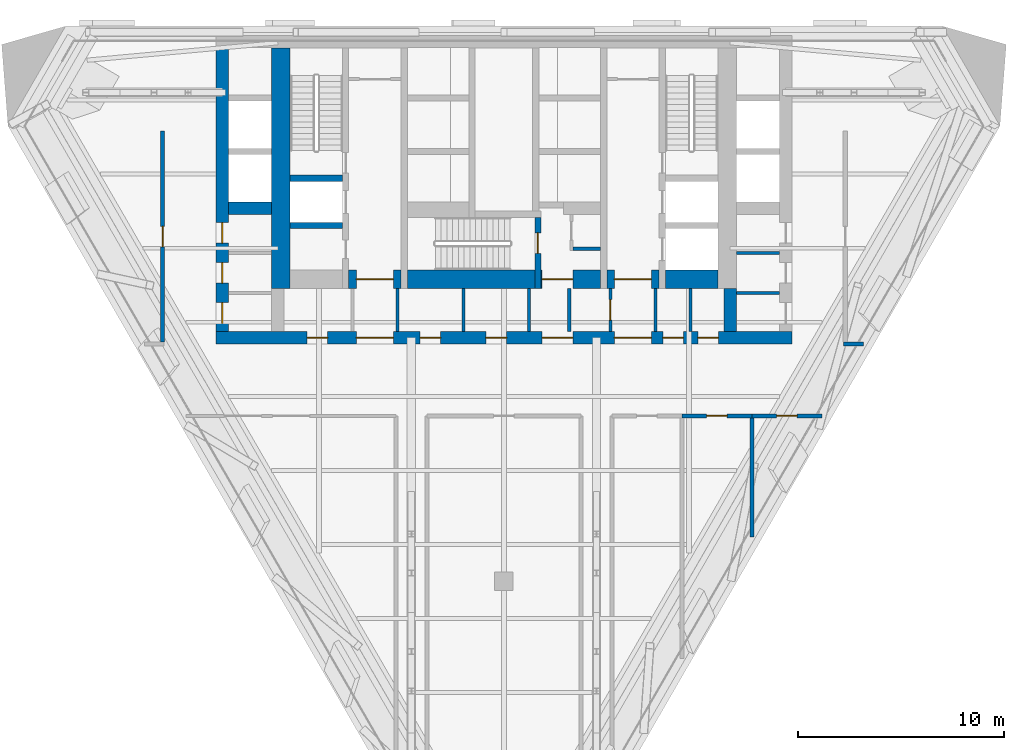
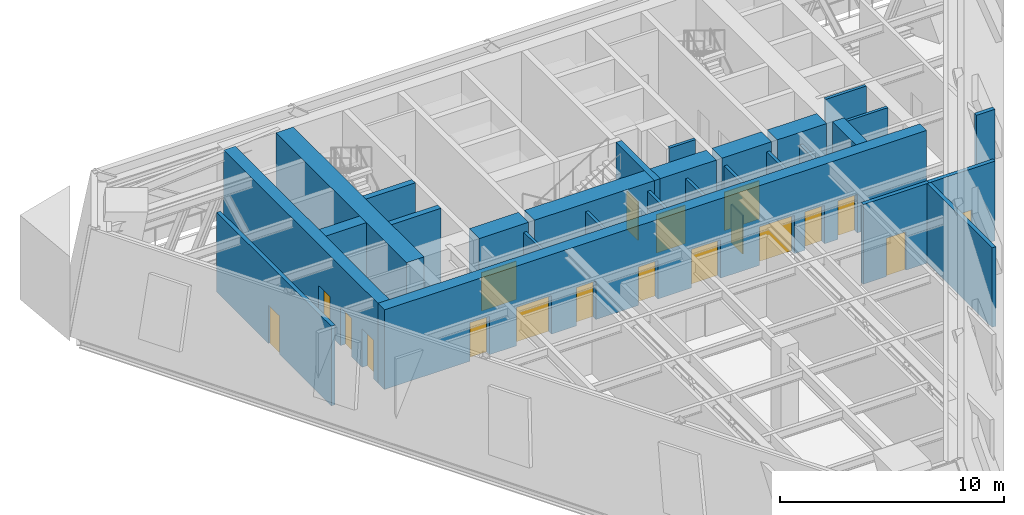
# One storey, part 4 of 12: 28 walls, 19 doors, 19 openings.
"""IFC4 building model written with IfcOpenShell, lengths in metres."""

from ifc_helpers import new_model, si_unit, direction, frame, frame_2d, origin, place, context, subcontext, project, spatial, rectangle, extrude, material, layer, layer_set, type_object, element, fill, save


model = new_model("IFC4")

# Units and contexts
model_context = context("Model", 3, precision=1e-05, world=origin(), true_north=direction((0.0, 1.0)))
body_context = subcontext(model_context, "Body", "Model", "MODEL_VIEW")
ifc_project = project(units=[si_unit("LENGTHUNIT", "METRE"), si_unit("AREAUNIT", "SQUARE_METRE"), si_unit("VOLUMEUNIT", "CUBIC_METRE"), si_unit("PLANEANGLEUNIT", "RADIAN"), si_unit("MASSUNIT", "GRAM", prefix="KILO")], contexts=[model_context])

# Site, building, storey
site_placement = place(None, origin())
site = spatial("IfcSite", under=ifc_project, at=site_placement, CompositionType="ELEMENT")
building_placement = place(site_placement, origin())
building = spatial("IfcBuilding", under=site, at=building_placement, Name="Aloe Facet Convention Tower", CompositionType="ELEMENT")
storey_placement = place(building_placement, frame((0.0, 0.0, 123.800048828125)))
storey = spatial("IfcBuildingStorey", under=building, at=storey_placement, Name="L31", CompositionType="ELEMENT", Elevation=123.800048828125)

# Walls
ifc_material_1 = material(Name="Concrete blockwork partition", Category="masonry")
ifc_layer_1 = layer(ifc_material_1, 0.14990234375)
ifc_layer_set_1 = layer_set([ifc_layer_1], Name="CR-W-PART150")
wall_type_1 = type_object("IfcWallType", Name="CR-W-PART150", PredefinedType="PARTITIONING", material=ifc_layer_set_1)
for number, where, z_axis, x_axis, name in (
    (1, (74.824951171875, 122.25, 0.0), (0.0, 0.0, 1.0), (0.0, -1.0, 0.0), "Core partition L31-018"),
    (2, (78.02490234375, 122.25, 0.0), (0.0, 0.0, 1.0), (0.0, -1.0, 0.0), "Core partition L31-024"),
    (3, (81.22509765625, 122.25, 0.0), (0.0, 0.0, 1.0), (0.0, -1.0, 0.0), "Core partition L31-027"),
    (4, (83.175048828125, 122.25, 0.0), (0.0, 0.0, 1.0), (0.0, -1.0, 0.0), "Core partition L31-035"),
):
    element("IfcWall", number, at=place(storey_placement, frame(where, z_axis=z_axis, x_axis=x_axis)), inside=storey, type_object=wall_type_1, Name=name, PredefinedType="PARTITIONING", context=body_context, shape_type="SweptSolid", body=[
        extrude(rectangle(XDim=2.10009765625, YDim=0.14990234375, at=frame_2d((1.050048828125, 0.0))), origin(), (0.0, 0.0, 1.0), 3.889892578125),
    ])
wall_1_placement = place(storey_placement, frame((83.35009765625, 124.175048828125, 0.0), z_axis=(0.0, 0.0, 1.0), x_axis=(1.0, 0.0, 0.0)))
element("IfcWall", 5, at=wall_1_placement, inside=storey, type_object=wall_type_1, Name="Core partition L31-037", PredefinedType="PARTITIONING", context=body_context, shape_type="SweptSolid", body=[
    extrude(rectangle(XDim=1.349853515625, YDim=0.14990234375, at=frame_2d((0.6748046875, 0.0))), origin(), (0.0, 0.0, 1.0), 4.349853515625),
])

# Wall, opening, door
wall_2_placement = place(storey_placement, frame((85.175048828125, 122.25, 0.0), z_axis=(0.0, 0.0, 1.0), x_axis=(0.0, -1.0, 0.0)))
wall_2 = element("IfcWall", 6, at=wall_2_placement, inside=storey, type_object=wall_type_1, Name="Core partition L31-041", PredefinedType="PARTITIONING", context=body_context, shape_type="SweptSolid", body=[
    extrude(rectangle(XDim=2.10009765625, YDim=0.14990234375, at=frame_2d((1.050048828125, 0.0))), origin(), (0.0, 0.0, 1.0), 3.889892578125),
])
opening_1_placement = place(wall_2_placement, frame((0.550048828125, 0.0, 0.0)))
opening_1 = element("IfcOpeningElement", 7, at=opening_1_placement, cuts=wall_2, Name="Opening L31-CD19", PredefinedType="OPENING", context=body_context, shape_type="SweptSolid", body=[
    extrude(rectangle(XDim=1.0, YDim=2.10009765625, at=frame_2d((0.5, 1.050048828125))), frame((0.0, 0.0849609375, 0.0), z_axis=(0.0, -1.0, 0.0), x_axis=(1.0, 0.0, 0.0)), (0.0, 0.0, 1.0), 0.169921875),
])
ifc_material_2 = material(Name="Steel fire-resisting door set FD60", Category="steel")
door_type_1 = type_object("IfcDoorType", Name="CR-D-ROOM-1000-FD60-SRIGHT", OperationType="SINGLE_SWING_RIGHT", PredefinedType="DOOR", material=ifc_material_2)
door_1_placement = place(opening_1_placement, origin())
door_1 = element("IfcDoor", 8, at=door_1_placement, inside=storey, type_object=door_type_1, Name="Core door L31-CD19", OperationType="SINGLE_SWING_RIGHT", OverallHeight=2.10009765625, OverallWidth=1.0, PredefinedType="DOOR", context=body_context, shape_type="SweptSolid", body=[
    extrude(rectangle(XDim=1.0, YDim=2.10009765625, at=frame_2d((0.5, 1.050048828125))), frame((0.0, 0.02490234375, 0.0), z_axis=(0.0, -1.0, 0.0), x_axis=(1.0, 0.0, 0.0)), (0.0, 0.0, 1.0), 0.050048828125),
])
fill(opening_1, door_1)

# Walls
wall_3_placement = place(storey_placement, frame((87.375, 122.25, 0.0), z_axis=(0.0, 0.0, 1.0), x_axis=(0.0, -1.0, 0.0)))
element("IfcWall", 9, at=wall_3_placement, inside=storey, type_object=wall_type_1, Name="Core partition L31-042", PredefinedType="PARTITIONING", context=body_context, shape_type="SweptSolid", body=[
    extrude(rectangle(XDim=2.10009765625, YDim=0.14990234375, at=frame_2d((1.050048828125, 0.0))), origin(), (0.0, 0.0, 1.0), 3.889892578125),
])
wall_4_placement = place(storey_placement, frame((89.074951171875, 122.25, 0.0), z_axis=(0.0, 0.0, 1.0), x_axis=(0.0, -1.0, 0.0)))
element("IfcWall", 10, at=wall_4_placement, inside=storey, type_object=wall_type_1, Name="Core partition L31-047", PredefinedType="PARTITIONING", context=body_context, shape_type="SweptSolid", body=[
    extrude(rectangle(XDim=2.10009765625, YDim=0.14990234375, at=frame_2d((1.050048828125, 0.0))), origin(), (0.0, 0.0, 1.0), 3.672119140625),
])
for number, where, z_axis, x_axis, name in (
    (11, (91.300048828125, 123.97509765625, 0.0), (0.0, 0.0, 1.0), (1.0, 0.0, 0.0), "Core partition L31-053"),
    (12, (91.300048828125, 122.02490234375, 0.0), (0.0, 0.0, 1.0), (1.0, 0.0, 0.0), "Core partition L31-054"),
):
    element("IfcWall", number, at=place(storey_placement, frame(where, z_axis=z_axis, x_axis=x_axis)), inside=storey, type_object=wall_type_1, Name=name, PredefinedType="PARTITIONING", context=body_context, shape_type="SweptSolid", body=[
        extrude(rectangle(XDim=2.099853515625, YDim=0.14990234375, at=frame_2d((1.0498046875, 0.0))), origin(), (0.0, 0.0, 1.0), 4.349853515625),
    ])
ifc_material_3 = material(Name="Concrete C70/85", Category="concrete")
ifc_layer_2 = layer(ifc_material_3, 0.300048828125)
ifc_layer_set_2 = layer_set([ifc_layer_2], Name="CR-W-RC300-C7085")
wall_type_2 = type_object("IfcWallType", Name="CR-W-RC300-C7085", PredefinedType="SOLIDWALL", material=ifc_layer_set_2)
for number, where, z_axis, x_axis, name in (
    (13, (69.60009765625, 127.60009765625, 0.0), (0.0, 0.0, 1.0), (1.0, 0.0, 0.0), "Core wall L31-011"),
    (14, (69.60009765625, 125.300048828125, 0.0), (0.0, 0.0, 1.0), (1.0, 0.0, 0.0), "Core wall L31-012"),
):
    element("IfcWall", number, at=place(storey_placement, frame(where, z_axis=z_axis, x_axis=x_axis)), inside=storey, type_object=wall_type_2, Name=name, PredefinedType="SOLIDWALL", context=body_context, shape_type="SweptSolid", body=[
        extrude(rectangle(XDim=2.5498046875, YDim=0.300048828125, at=frame_2d((1.27490234375, 0.0))), origin(), (0.0, 0.0, 1.0), 4.349853515625),
    ])

# Wall, opening, door
wall_5_placement = place(storey_placement, frame((81.64990234375, 125.699951171875, 0.0), z_axis=(0.0, 0.0, 1.0), x_axis=(0.0, -1.0, 0.0)))
wall_5 = element("IfcWall", 15, at=wall_5_placement, inside=storey, type_object=wall_type_2, Name="Core wall L31-029", PredefinedType="SOLIDWALL", context=body_context, shape_type="SweptSolid", body=[
    extrude(rectangle(XDim=3.449951171875, YDim=0.300048828125, at=frame_2d((1.72509765625, 0.0))), origin(), (0.0, 0.0, 1.0), 4.349853515625),
])
opening_2_placement = place(wall_5_placement, frame((0.75, 0.0, 0.0)))
opening_2 = element("IfcOpeningElement", 16, at=opening_2_placement, cuts=wall_5, Name="Opening L31-CD24", PredefinedType="OPENING", context=body_context, shape_type="SweptSolid", body=[
    extrude(rectangle(XDim=1.0, YDim=2.10009765625, at=frame_2d((0.5, 1.050048828125))), frame((0.0, 0.16015625, 0.0), z_axis=(0.0, -1.0, 0.0), x_axis=(1.0, 0.0, 0.0)), (0.0, 0.0, 1.0), 0.320068359375),
])
ifc_material_4 = material(Name="Steel fire-resisting door set FD120", Category="steel")
door_type_2 = type_object("IfcDoorType", Name="CR-D-STAIR-1000-FD120-SLEFT", OperationType="SINGLE_SWING_LEFT", PredefinedType="DOOR", material=ifc_material_4)
door_2_placement = place(opening_2_placement, origin())
door_2 = element("IfcDoor", 17, at=door_2_placement, inside=storey, type_object=door_type_2, Name="Core door L31-CD24", OperationType="SINGLE_SWING_LEFT", OverallHeight=2.10009765625, OverallWidth=1.0, PredefinedType="DOOR", context=body_context, shape_type="SweptSolid", body=[
    extrude(rectangle(XDim=1.0, YDim=2.10009765625, at=frame_2d((0.5, 1.050048828125))), frame((0.0, 0.02490234375, 0.0), z_axis=(0.0, -1.0, 0.0), x_axis=(1.0, 0.0, 0.0)), (0.0, 0.0, 1.0), 0.050048828125),
])
fill(opening_2, door_2)

# Wall, openings, doors
ifc_material_5 = material(Name="Concrete C70/85", Category="concrete")
ifc_layer_3 = layer(ifc_material_5, 0.60009765625)
ifc_layer_set_3 = layer_set([ifc_layer_3], Name="CR-W-RC600-C7085")
wall_type_3 = type_object("IfcWallType", Name="CR-W-RC600-C7085", PredefinedType="SOLIDWALL", material=ifc_layer_set_3)
wall_6_placement = place(storey_placement, frame((66.300048828125, 133.949951171875, 0.0), z_axis=(0.0, 0.0, 1.0), x_axis=(0.0, -1.0, 0.0)))
wall_6 = element("IfcWall", 18, at=wall_6_placement, inside=storey, type_object=wall_type_3, Name="Core wall L31-002", PredefinedType="SOLIDWALL", context=body_context, shape_type="SweptSolid", body=[
    extrude(rectangle(XDim=13.800048828125, YDim=0.60009765625, at=frame_2d((6.89990234375, 0.0))), origin(), (0.0, 0.0, 1.0), 4.349853515625),
])
opening_3_placement = place(wall_6_placement, frame((12.39990234375, 0.0, 0.0)))
opening_3 = element("IfcOpeningElement", 19, at=opening_3_placement, cuts=wall_6, Name="Opening L31-CD26", PredefinedType="OPENING", context=body_context, shape_type="SweptSolid", body=[
    extrude(rectangle(XDim=1.0, YDim=2.10009765625, at=frame_2d((0.5, 1.050048828125))), frame((0.0, 0.31005859375, 0.0), z_axis=(0.0, -1.0, 0.0), x_axis=(1.0, 0.0, 0.0)), (0.0, 0.0, 1.0), 0.6201171875),
])
opening_4_placement = place(wall_6_placement, frame((8.5, 0.0, 0.0)))
opening_4 = element("IfcOpeningElement", 20, at=opening_4_placement, cuts=wall_6, Name="Opening L31-CD27", PredefinedType="OPENING", context=body_context, shape_type="SweptSolid", body=[
    extrude(rectangle(XDim=1.0, YDim=2.10009765625, at=frame_2d((0.5, 1.050048828125))), frame((0.0, 0.31005859375, 0.0), z_axis=(0.0, -1.0, 0.0), x_axis=(1.0, 0.0, 0.0)), (0.0, 0.0, 1.0), 0.6201171875),
])
opening_5_placement = place(wall_6_placement, frame((10.449951171875, 0.0, 0.0)))
opening_5 = element("IfcOpeningElement", 21, at=opening_5_placement, cuts=wall_6, Name="Opening L31-CD28", PredefinedType="OPENING", context=body_context, shape_type="SweptSolid", body=[
    extrude(rectangle(XDim=1.0, YDim=2.10009765625, at=frame_2d((0.5, 1.050048828125))), frame((0.0, 0.31005859375, 0.0), z_axis=(0.0, -1.0, 0.0), x_axis=(1.0, 0.0, 0.0)), (0.0, 0.0, 1.0), 0.6201171875),
])
ifc_material_6 = material(Name="Steel fire-resisting door set FD60", Category="steel")
door_type_3 = type_object("IfcDoorType", Name="CR-D-ROOM-1000-FD60-SLEFT", OperationType="SINGLE_SWING_LEFT", PredefinedType="DOOR", material=ifc_material_6)
door_3_placement = place(opening_3_placement, origin())
door_3 = element("IfcDoor", 22, at=door_3_placement, inside=storey, type_object=door_type_3, Name="Core door L31-CD26", OperationType="SINGLE_SWING_LEFT", OverallHeight=2.10009765625, OverallWidth=1.0, PredefinedType="DOOR", context=body_context, shape_type="SweptSolid", body=[
    extrude(rectangle(XDim=1.0, YDim=2.10009765625, at=frame_2d((0.5, 1.050048828125))), frame((0.0, 0.02490234375, 0.0), z_axis=(0.0, -1.0, 0.0), x_axis=(1.0, 0.0, 0.0)), (0.0, 0.0, 1.0), 0.050048828125),
])
fill(opening_3, door_3)
door_4_placement = place(opening_4_placement, origin())
door_4 = element("IfcDoor", 23, at=door_4_placement, inside=storey, type_object=door_type_3, Name="Core door L31-CD27", OperationType="SINGLE_SWING_LEFT", OverallHeight=2.10009765625, OverallWidth=1.0, PredefinedType="DOOR", context=body_context, shape_type="SweptSolid", body=[
    extrude(rectangle(XDim=1.0, YDim=2.10009765625, at=frame_2d((0.5, 1.050048828125))), frame((0.0, 0.02490234375, 0.0), z_axis=(0.0, -1.0, 0.0), x_axis=(1.0, 0.0, 0.0)), (0.0, 0.0, 1.0), 0.050048828125),
])
fill(opening_4, door_4)
door_5_placement = place(opening_5_placement, origin())
door_5 = element("IfcDoor", 24, at=door_5_placement, inside=storey, type_object=door_type_3, Name="Core door L31-CD28", OperationType="SINGLE_SWING_LEFT", OverallHeight=2.10009765625, OverallWidth=1.0, PredefinedType="DOOR", context=body_context, shape_type="SweptSolid", body=[
    extrude(rectangle(XDim=1.0, YDim=2.10009765625, at=frame_2d((0.5, 1.050048828125))), frame((0.0, 0.02490234375, 0.0), z_axis=(0.0, -1.0, 0.0), x_axis=(1.0, 0.0, 0.0)), (0.0, 0.0, 1.0), 0.050048828125),
])
fill(opening_5, door_5)

wall_7_placement = place(storey_placement, frame((66.0, 119.85009765625, 0.0), z_axis=(0.0, 0.0, 1.0), x_axis=(1.0, 0.0, 0.0)))
wall_7 = element("IfcWall", 25, at=wall_7_placement, inside=storey, type_object=wall_type_3, Name="Core wall L31-003", PredefinedType="SOLIDWALL", context=body_context, shape_type="SweptSolid", body=[
    extrude(rectangle(XDim=28.0, YDim=0.60009765625, at=frame_2d((14.0, 0.0))), origin(), (0.0, 0.0, 1.0), 4.349853515625),
])
opening_6_placement = place(wall_7_placement, frame((6.824951171875, 0.0, 0.0)))
opening_6 = element("IfcOpeningElement", 26, at=opening_6_placement, cuts=wall_7, Name="Opening L31-CD09", PredefinedType="OPENING", context=body_context, shape_type="SweptSolid", body=[
    extrude(rectangle(XDim=1.800048828125, YDim=2.10009765625, at=frame_2d((0.89990234375, 1.050048828125))), frame((0.0, 0.31005859375, 0.0), z_axis=(0.0, -1.0, 0.0), x_axis=(1.0, 0.0, 0.0)), (0.0, 0.0, 1.0), 0.6201171875),
])
opening_7_placement = place(wall_7_placement, frame((15.85009765625, 0.0, 0.0)))
opening_7 = element("IfcOpeningElement", 27, at=opening_7_placement, cuts=wall_7, Name="Opening L31-CD10", PredefinedType="OPENING", context=body_context, shape_type="SweptSolid", body=[
    extrude(rectangle(XDim=1.5, YDim=2.10009765625, at=frame_2d((0.75, 1.050048828125))), frame((0.0, 0.31005859375, 0.0), z_axis=(0.0, -1.0, 0.0), x_axis=(1.0, 0.0, 0.0)), (0.0, 0.0, 1.0), 0.6201171875),
])
opening_8_placement = place(wall_7_placement, frame((19.375, 0.0, 0.0)))
opening_8 = element("IfcOpeningElement", 28, at=opening_8_placement, cuts=wall_7, Name="Opening L31-CD11", PredefinedType="OPENING", context=body_context, shape_type="SweptSolid", body=[
    extrude(rectangle(XDim=1.800048828125, YDim=2.10009765625, at=frame_2d((0.89990234375, 1.050048828125))), frame((0.0, 0.31005859375, 0.0), z_axis=(0.0, -1.0, 0.0), x_axis=(1.0, 0.0, 0.0)), (0.0, 0.0, 1.0), 0.6201171875),
])
opening_9_placement = place(wall_7_placement, frame((4.425048828125, 0.0, 0.0)))
opening_9 = element("IfcOpeningElement", 29, at=opening_9_placement, cuts=wall_7, Name="Opening L31-CD16", PredefinedType="OPENING", context=body_context, shape_type="SweptSolid", body=[
    extrude(rectangle(XDim=1.0, YDim=2.10009765625, at=frame_2d((0.5, 1.050048828125))), frame((0.0, 0.31005859375, 0.0), z_axis=(0.0, -1.0, 0.0), x_axis=(1.0, 0.0, 0.0)), (0.0, 0.0, 1.0), 0.6201171875),
])
opening_10_placement = place(wall_7_placement, frame((9.925048828125, 0.0, 0.0)))
opening_10 = element("IfcOpeningElement", 30, at=opening_10_placement, cuts=wall_7, Name="Opening L31-CD17", PredefinedType="OPENING", context=body_context, shape_type="SweptSolid", body=[
    extrude(rectangle(XDim=1.0, YDim=2.10009765625, at=frame_2d((0.5, 1.050048828125))), frame((0.0, 0.31005859375, 0.0), z_axis=(0.0, -1.0, 0.0), x_axis=(1.0, 0.0, 0.0)), (0.0, 0.0, 1.0), 0.6201171875),
])
opening_11_placement = place(wall_7_placement, frame((13.125, 0.0, 0.0)))
opening_11 = element("IfcOpeningElement", 31, at=opening_11_placement, cuts=wall_7, Name="Opening L31-CD18", PredefinedType="OPENING", context=body_context, shape_type="SweptSolid", body=[
    extrude(rectangle(XDim=1.0, YDim=2.10009765625, at=frame_2d((0.5, 1.050048828125))), frame((0.0, 0.31005859375, 0.0), z_axis=(0.0, -1.0, 0.0), x_axis=(1.0, 0.0, 0.0)), (0.0, 0.0, 1.0), 0.6201171875),
])
opening_12_placement = place(wall_7_placement, frame((21.72509765625, 0.0, 0.0)))
opening_12 = element("IfcOpeningElement", 32, at=opening_12_placement, cuts=wall_7, Name="Opening L31-CD20", PredefinedType="OPENING", context=body_context, shape_type="SweptSolid", body=[
    extrude(rectangle(XDim=1.0, YDim=2.10009765625, at=frame_2d((0.5, 1.050048828125))), frame((0.0, 0.31005859375, 0.0), z_axis=(0.0, -1.0, 0.0), x_axis=(1.0, 0.0, 0.0)), (0.0, 0.0, 1.0), 0.6201171875),
])
opening_13_placement = place(wall_7_placement, frame((23.425048828125, 0.0, 0.0)))
opening_13 = element("IfcOpeningElement", 33, at=opening_13_placement, cuts=wall_7, Name="Opening L31-CD21", PredefinedType="OPENING", context=body_context, shape_type="SweptSolid", body=[
    extrude(rectangle(XDim=1.0, YDim=2.10009765625, at=frame_2d((0.5, 1.050048828125))), frame((0.0, 0.31005859375, 0.0), z_axis=(0.0, -1.0, 0.0), x_axis=(1.0, 0.0, 0.0)), (0.0, 0.0, 1.0), 0.6201171875),
])
ifc_material_7 = material(Name="Steel fire-resisting door set FD60", Category="steel")
door_type_4 = type_object("IfcDoorType", Name="CR-D-EXIT-1500-FD60-DD", OperationType="DOUBLE_DOOR_DOUBLE_SWING", PredefinedType="DOOR", material=ifc_material_7)
door_6_placement = place(opening_7_placement, origin())
door_6 = element("IfcDoor", 34, at=door_6_placement, inside=storey, type_object=door_type_4, Name="Core door L31-CD10", OperationType="DOUBLE_DOOR_DOUBLE_SWING", OverallHeight=2.10009765625, OverallWidth=1.5, PredefinedType="DOOR", context=body_context, shape_type="SweptSolid", body=[
    extrude(rectangle(XDim=1.5, YDim=2.10009765625, at=frame_2d((0.75, 1.050048828125))), frame((0.0, 0.02490234375, 0.0), z_axis=(0.0, -1.0, 0.0), x_axis=(1.0, 0.0, 0.0)), (0.0, 0.0, 1.0), 0.050048828125),
])
fill(opening_7, door_6)
ifc_material_8 = material(Name="Steel fire-resisting door set FD60", Category="steel")
door_type_5 = type_object("IfcDoorType", Name="CR-D-EXIT-1800-FD60-DD", OperationType="DOUBLE_DOOR_DOUBLE_SWING", PredefinedType="DOOR", material=ifc_material_8)
door_7_placement = place(opening_6_placement, origin())
door_7 = element("IfcDoor", 35, at=door_7_placement, inside=storey, type_object=door_type_5, Name="Core door L31-CD09", OperationType="DOUBLE_DOOR_DOUBLE_SWING", OverallHeight=2.10009765625, OverallWidth=1.800048828125, PredefinedType="DOOR", context=body_context, shape_type="SweptSolid", body=[
    extrude(rectangle(XDim=1.800048828125, YDim=2.10009765625, at=frame_2d((0.89990234375, 1.050048828125))), frame((0.0, 0.02490234375, 0.0), z_axis=(0.0, -1.0, 0.0), x_axis=(1.0, 0.0, 0.0)), (0.0, 0.0, 1.0), 0.050048828125),
])
fill(opening_6, door_7)
door_8_placement = place(opening_8_placement, origin())
door_8 = element("IfcDoor", 36, at=door_8_placement, inside=storey, type_object=door_type_5, Name="Core door L31-CD11", OperationType="DOUBLE_DOOR_DOUBLE_SWING", OverallHeight=2.10009765625, OverallWidth=1.800048828125, PredefinedType="DOOR", context=body_context, shape_type="SweptSolid", body=[
    extrude(rectangle(XDim=1.800048828125, YDim=2.10009765625, at=frame_2d((0.89990234375, 1.050048828125))), frame((0.0, 0.02490234375, 0.0), z_axis=(0.0, -1.0, 0.0), x_axis=(1.0, 0.0, 0.0)), (0.0, 0.0, 1.0), 0.050048828125),
])
fill(opening_8, door_8)
door_9_placement = place(opening_9_placement, origin())
door_9 = element("IfcDoor", 37, at=door_9_placement, inside=storey, type_object=door_type_1, Name="Core door L31-CD16", OperationType="SINGLE_SWING_RIGHT", OverallHeight=2.10009765625, OverallWidth=1.0, PredefinedType="DOOR", context=body_context, shape_type="SweptSolid", body=[
    extrude(rectangle(XDim=1.0, YDim=2.10009765625, at=frame_2d((0.5, 1.050048828125))), frame((0.0, 0.02490234375, 0.0), z_axis=(0.0, -1.0, 0.0), x_axis=(1.0, 0.0, 0.0)), (0.0, 0.0, 1.0), 0.050048828125),
])
fill(opening_9, door_9)
door_10_placement = place(opening_10_placement, origin())
door_10 = element("IfcDoor", 38, at=door_10_placement, inside=storey, type_object=door_type_1, Name="Core door L31-CD17", OperationType="SINGLE_SWING_RIGHT", OverallHeight=2.10009765625, OverallWidth=1.0, PredefinedType="DOOR", context=body_context, shape_type="SweptSolid", body=[
    extrude(rectangle(XDim=1.0, YDim=2.10009765625, at=frame_2d((0.5, 1.050048828125))), frame((0.0, 0.02490234375, 0.0), z_axis=(0.0, -1.0, 0.0), x_axis=(1.0, 0.0, 0.0)), (0.0, 0.0, 1.0), 0.050048828125),
])
fill(opening_10, door_10)
door_11_placement = place(opening_11_placement, origin())
door_11 = element("IfcDoor", 39, at=door_11_placement, inside=storey, type_object=door_type_1, Name="Core door L31-CD18", OperationType="SINGLE_SWING_RIGHT", OverallHeight=2.10009765625, OverallWidth=1.0, PredefinedType="DOOR", context=body_context, shape_type="SweptSolid", body=[
    extrude(rectangle(XDim=1.0, YDim=2.10009765625, at=frame_2d((0.5, 1.050048828125))), frame((0.0, 0.02490234375, 0.0), z_axis=(0.0, -1.0, 0.0), x_axis=(1.0, 0.0, 0.0)), (0.0, 0.0, 1.0), 0.050048828125),
])
fill(opening_11, door_11)
door_12_placement = place(opening_12_placement, origin())
door_12 = element("IfcDoor", 40, at=door_12_placement, inside=storey, type_object=door_type_1, Name="Core door L31-CD20", OperationType="SINGLE_SWING_RIGHT", OverallHeight=2.10009765625, OverallWidth=1.0, PredefinedType="DOOR", context=body_context, shape_type="SweptSolid", body=[
    extrude(rectangle(XDim=1.0, YDim=2.10009765625, at=frame_2d((0.5, 1.050048828125))), frame((0.0, 0.02490234375, 0.0), z_axis=(0.0, -1.0, 0.0), x_axis=(1.0, 0.0, 0.0)), (0.0, 0.0, 1.0), 0.050048828125),
])
fill(opening_12, door_12)
door_13_placement = place(opening_13_placement, origin())
door_13 = element("IfcDoor", 41, at=door_13_placement, inside=storey, type_object=door_type_1, Name="Core door L31-CD21", OperationType="SINGLE_SWING_RIGHT", OverallHeight=2.10009765625, OverallWidth=1.0, PredefinedType="DOOR", context=body_context, shape_type="SweptSolid", body=[
    extrude(rectangle(XDim=1.0, YDim=2.10009765625, at=frame_2d((0.5, 1.050048828125))), frame((0.0, 0.02490234375, 0.0), z_axis=(0.0, -1.0, 0.0), x_axis=(1.0, 0.0, 0.0)), (0.0, 0.0, 1.0), 0.050048828125),
])
fill(opening_13, door_13)

# Walls
wall_8_placement = place(storey_placement, frame((66.60009765625, 126.14990234375, 0.0), z_axis=(0.0, 0.0, 1.0), x_axis=(1.0, 0.0, 0.0)))
element("IfcWall", 42, at=wall_8_placement, inside=storey, type_object=wall_type_3, Name="Core wall L31-006", PredefinedType="SOLIDWALL", context=body_context, shape_type="SweptSolid", body=[
    extrude(rectangle(XDim=2.099853515625, YDim=0.60009765625, at=frame_2d((1.0498046875, 0.0))), origin(), (0.0, 0.0, 1.0), 4.349853515625),
])
wall_9_placement = place(storey_placement, frame((91.0, 122.25, 0.0), z_axis=(0.0, 0.0, 1.0), x_axis=(0.0, -1.0, 0.0)))
element("IfcWall", 43, at=wall_9_placement, inside=storey, type_object=wall_type_3, Name="Core wall L31-049", PredefinedType="SOLIDWALL", context=body_context, shape_type="SweptSolid", body=[
    extrude(rectangle(XDim=2.10009765625, YDim=0.60009765625, at=frame_2d((1.050048828125, 0.0))), origin(), (0.0, 0.0, 1.0), 4.349853515625),
])
ifc_material_9 = material(Name="Concrete C70/85", Category="concrete")
ifc_layer_4 = layer(ifc_material_9, 0.89990234375)
ifc_layer_set_4 = layer_set([ifc_layer_4], Name="CR-W-RC900-C7085")
wall_type_4 = type_object("IfcWallType", Name="CR-W-RC900-C7085", PredefinedType="SOLIDWALL", material=ifc_layer_set_4)
wall_10_placement = place(storey_placement, frame((69.14990234375, 133.949951171875, 0.0), z_axis=(0.0, 0.0, 1.0), x_axis=(0.0, -1.0, 0.0)))
element("IfcWall", 44, at=wall_10_placement, inside=storey, type_object=wall_type_4, Name="Core wall L31-009", PredefinedType="SOLIDWALL", context=body_context, shape_type="SweptSolid", body=[
    extrude(rectangle(XDim=11.699951171875, YDim=0.89990234375, at=frame_2d((5.85009765625, 0.0))), origin(), (0.0, 0.0, 1.0), 4.349853515625),
])

# Wall, opening, door
wall_11_placement = place(storey_placement, frame((72.449951171875, 122.699951171875, 0.0), z_axis=(0.0, 0.0, 1.0), x_axis=(1.0, 0.0, 0.0)))
wall_11 = element("IfcWall", 45, at=wall_11_placement, inside=storey, type_object=wall_type_4, Name="Core wall L31-016", PredefinedType="SOLIDWALL", context=body_context, shape_type="SweptSolid", body=[
    extrude(rectangle(XDim=2.550048828125, YDim=0.89990234375, at=frame_2d((1.27490234375, 0.0))), origin(), (0.0, 0.0, 1.0), 4.349853515625),
])
opening_14_placement = place(wall_11_placement, frame((0.375, 0.0, 0.0)))
opening_14 = element("IfcOpeningElement", 46, at=opening_14_placement, cuts=wall_11, Name="Opening L31-CD07", PredefinedType="OPENING", context=body_context, shape_type="SweptSolid", body=[
    extrude(rectangle(XDim=1.800048828125, YDim=2.10009765625, at=frame_2d((0.89990234375, 1.050048828125))), frame((0.0, 0.4599609375, 0.0), z_axis=(0.0, -1.0, 0.0), x_axis=(1.0, 0.0, 0.0)), (0.0, 0.0, 1.0), 0.919921875),
])
ifc_material_10 = material(Name="Steel fire-resisting door set FD120", Category="steel")
door_type_6 = type_object("IfcDoorType", Name="CR-D-EXIT-1800-FD120-DD", OperationType="DOUBLE_DOOR_DOUBLE_SWING", PredefinedType="DOOR", material=ifc_material_10)
door_14_placement = place(opening_14_placement, origin())
door_14 = element("IfcDoor", 47, at=door_14_placement, inside=storey, type_object=door_type_6, Name="Core door L31-CD07", OperationType="DOUBLE_DOOR_DOUBLE_SWING", OverallHeight=2.10009765625, OverallWidth=1.800048828125, PredefinedType="DOOR", context=body_context, shape_type="SweptSolid", body=[
    extrude(rectangle(XDim=1.800048828125, YDim=2.10009765625, at=frame_2d((0.89990234375, 1.050048828125))), frame((0.0, 0.02490234375, 0.0), z_axis=(0.0, -1.0, 0.0), x_axis=(1.0, 0.0, 0.0)), (0.0, 0.0, 1.0), 0.050048828125),
])
fill(opening_14, door_14)

# Wall
wall_12_placement = place(storey_placement, frame((75.300048828125, 122.699951171875, 0.0), z_axis=(0.0, 0.0, 1.0), x_axis=(1.0, 0.0, 0.0)))
element("IfcWall", 48, at=wall_12_placement, inside=storey, type_object=wall_type_4, Name="Core wall L31-023", PredefinedType="SOLIDWALL", context=body_context, shape_type="SweptSolid", body=[
    extrude(rectangle(XDim=6.199951171875, YDim=0.89990234375, at=frame_2d((3.10009765625, 0.0))), origin(), (0.0, 0.0, 1.0), 4.349853515625),
])

# Wall, opening, door
wall_13_placement = place(storey_placement, frame((81.800048828125, 122.699951171875, 0.0), z_axis=(0.0, 0.0, 1.0), x_axis=(1.0, 0.0, 0.0)))
wall_13 = element("IfcWall", 49, at=wall_13_placement, inside=storey, type_object=wall_type_4, Name="Core wall L31-033", PredefinedType="SOLIDWALL", context=body_context, shape_type="SweptSolid", body=[
    extrude(rectangle(XDim=2.89990234375, YDim=0.89990234375, at=frame_2d((1.449951171875, 0.0))), origin(), (0.0, 0.0, 1.0), 4.349853515625),
])
opening_15_placement = place(wall_13_placement, frame((0.050048828125, 0.0, 0.0)))
opening_15 = element("IfcOpeningElement", 50, at=opening_15_placement, cuts=wall_13, Name="Opening L31-CD08", PredefinedType="OPENING", context=body_context, shape_type="SweptSolid", body=[
    extrude(rectangle(XDim=1.5, YDim=2.10009765625, at=frame_2d((0.75, 1.050048828125))), frame((0.0, 0.4599609375, 0.0), z_axis=(0.0, -1.0, 0.0), x_axis=(1.0, 0.0, 0.0)), (0.0, 0.0, 1.0), 0.919921875),
])
door_15_placement = place(opening_15_placement, origin())
door_15 = element("IfcDoor", 51, at=door_15_placement, inside=storey, type_object=door_type_4, Name="Core door L31-CD08", OperationType="DOUBLE_DOOR_DOUBLE_SWING", OverallHeight=2.10009765625, OverallWidth=1.5, PredefinedType="DOOR", context=body_context, shape_type="SweptSolid", body=[
    extrude(rectangle(XDim=1.5, YDim=2.10009765625, at=frame_2d((0.75, 1.050048828125))), frame((0.0, 0.02490234375, 0.0), z_axis=(0.0, -1.0, 0.0), x_axis=(1.0, 0.0, 0.0)), (0.0, 0.0, 1.0), 0.050048828125),
])
fill(opening_15, door_15)

wall_14_placement = place(storey_placement, frame((85.0, 122.699951171875, 0.0), z_axis=(0.0, 0.0, 1.0), x_axis=(1.0, 0.0, 0.0)))
wall_14 = element("IfcWall", 52, at=wall_14_placement, inside=storey, type_object=wall_type_4, Name="Core wall L31-040", PredefinedType="SOLIDWALL", context=body_context, shape_type="SweptSolid", body=[
    extrude(rectangle(XDim=2.550048828125, YDim=0.89990234375, at=frame_2d((1.27490234375, 0.0))), origin(), (0.0, 0.0, 1.0), 4.349853515625),
])
opening_16_placement = place(wall_14_placement, frame((0.375, 0.0, 0.0)))
opening_16 = element("IfcOpeningElement", 53, at=opening_16_placement, cuts=wall_14, Name="Opening L31-CD06", PredefinedType="OPENING", context=body_context, shape_type="SweptSolid", body=[
    extrude(rectangle(XDim=1.800048828125, YDim=2.10009765625, at=frame_2d((0.89990234375, 1.050048828125))), frame((0.0, 0.4599609375, 0.0), z_axis=(0.0, -1.0, 0.0), x_axis=(1.0, 0.0, 0.0)), (0.0, 0.0, 1.0), 0.919921875),
])
door_16_placement = place(opening_16_placement, origin())
door_16 = element("IfcDoor", 54, at=door_16_placement, inside=storey, type_object=door_type_6, Name="Core door L31-CD06", OperationType="DOUBLE_DOOR_DOUBLE_SWING", OverallHeight=2.10009765625, OverallWidth=1.800048828125, PredefinedType="DOOR", context=body_context, shape_type="SweptSolid", body=[
    extrude(rectangle(XDim=1.800048828125, YDim=2.10009765625, at=frame_2d((0.89990234375, 1.050048828125))), frame((0.0, 0.02490234375, 0.0), z_axis=(0.0, -1.0, 0.0), x_axis=(1.0, 0.0, 0.0)), (0.0, 0.0, 1.0), 0.050048828125),
])
fill(opening_16, door_16)

# Walls
wall_15_placement = place(storey_placement, frame((87.85009765625, 122.699951171875, 0.0), z_axis=(0.0, 0.0, 1.0), x_axis=(1.0, 0.0, 0.0)))
element("IfcWall", 55, at=wall_15_placement, inside=storey, type_object=wall_type_4, Name="Core wall L31-046", PredefinedType="SOLIDWALL", context=body_context, shape_type="SweptSolid", body=[
    extrude(rectangle(XDim=2.5498046875, YDim=0.89990234375, at=frame_2d((1.27490234375, 0.0))), origin(), (0.0, 0.0, 1.0), 4.349853515625),
])
ifc_material_11 = material(Name="Masonry blockwork wall, plastered", Category="masonry")
ifc_layer_5 = layer(ifc_material_11, 0.199951171875)
ifc_layer_set_5 = layer_set([ifc_layer_5], Name="IN-POD-W-PLANT")
wall_type_5 = type_object("IfcWallType", Name="IN-POD-W-PLANT", PredefinedType="PARTITIONING", material=ifc_layer_set_5)
wall_16_placement = place(storey_placement, frame((92.057373046875, 110.154541015625, 0.0), z_axis=(0.0, 0.0, 1.0), x_axis=(0.0, 1.0, 0.0)))
element("IfcWall", 56, at=wall_16_placement, inside=storey, type_object=wall_type_5, Name="Partition L31-W002", PredefinedType="PARTITIONING", context=body_context, shape_type="SweptSolid", body=[
    extrude(rectangle(XDim=5.810546875, YDim=0.199951171875, at=frame_2d((2.9052734375, 0.0))), origin(), (0.0, 0.0, 1.0), 4.349853515625),
])

# Wall, opening, door
wall_17_placement = place(storey_placement, frame((88.65380859375, 116.050048828125, 0.0), z_axis=(0.0, 0.0, 1.0), x_axis=(1.0, 0.0, 0.0)))
wall_17 = element("IfcWall", 57, at=wall_17_placement, inside=storey, type_object=wall_type_5, Name="Partition L31-W006", PredefinedType="PARTITIONING", context=body_context, shape_type="SweptSolid", body=[
    extrude(rectangle(XDim=3.403564453125, YDim=0.199951171875, at=frame_2d((1.70166015625, 0.0))), origin(), (0.0, 0.0, 1.0), 4.349853515625),
])
opening_17_placement = place(wall_17_placement, frame((1.201904296875, 0.0, 0.0)))
opening_17 = element("IfcOpeningElement", 58, at=opening_17_placement, cuts=wall_17, Name="Opening L31-007", PredefinedType="OPENING", context=body_context, shape_type="SweptSolid", body=[
    extrude(rectangle(XDim=1.0, YDim=2.10009765625, at=frame_2d((0.5, 1.050048828125))), frame((0.0, 0.10986328125, 0.0), z_axis=(0.0, -1.0, 0.0), x_axis=(1.0, 0.0, 0.0)), (0.0, 0.0, 1.0), 0.219970703125),
])
ifc_material_12 = material(Name="Steel flush door, galvanised", Category="steel")
door_type_7 = type_object("IfcDoorType", Name="IN-POD-D-PLANT", OperationType="SINGLE_SWING_LEFT", PredefinedType="DOOR", material=ifc_material_12)
door_17_placement = place(opening_17_placement, origin())
door_17 = element("IfcDoor", 59, at=door_17_placement, inside=storey, type_object=door_type_7, Name="Door L31-007", OperationType="SINGLE_SWING_LEFT", OverallHeight=2.10009765625, OverallWidth=1.0, PredefinedType="DOOR", context=body_context, shape_type="SweptSolid", body=[
    extrude(rectangle(XDim=1.0, YDim=2.10009765625, at=frame_2d((0.5, 1.050048828125))), frame((0.0, 0.02490234375, 0.0), z_axis=(0.0, -1.0, 0.0), x_axis=(1.0, 0.0, 0.0)), (0.0, 0.0, 1.0), 0.050048828125),
])
fill(opening_17, door_17)

wall_18_placement = place(storey_placement, frame((92.057373046875, 116.050048828125, 0.0), z_axis=(0.0, 0.0, 1.0), x_axis=(1.0, 0.0, 0.0)))
wall_18 = element("IfcWall", 60, at=wall_18_placement, inside=storey, type_object=wall_type_5, Name="Partition L31-W007", PredefinedType="PARTITIONING", context=body_context, shape_type="SweptSolid", body=[
    extrude(rectangle(XDim=3.40380859375, YDim=0.199951171875, at=frame_2d((1.701904296875, 0.0))), origin(), (0.0, 0.0, 1.0), 4.349853515625),
])
opening_18_placement = place(wall_18_placement, frame((1.201904296875, 0.0, 0.0)))
opening_18 = element("IfcOpeningElement", 61, at=opening_18_placement, cuts=wall_18, Name="Opening L31-008", PredefinedType="OPENING", context=body_context, shape_type="SweptSolid", body=[
    extrude(rectangle(XDim=1.0, YDim=2.10009765625, at=frame_2d((0.5, 1.050048828125))), frame((0.0, 0.10986328125, 0.0), z_axis=(0.0, -1.0, 0.0), x_axis=(1.0, 0.0, 0.0)), (0.0, 0.0, 1.0), 0.219970703125),
])
door_18_placement = place(opening_18_placement, origin())
door_18 = element("IfcDoor", 62, at=door_18_placement, inside=storey, type_object=door_type_7, Name="Door L31-008", OperationType="SINGLE_SWING_LEFT", OverallHeight=2.10009765625, OverallWidth=1.0, PredefinedType="DOOR", context=body_context, shape_type="SweptSolid", body=[
    extrude(rectangle(XDim=1.0, YDim=2.10009765625, at=frame_2d((0.5, 1.050048828125))), frame((0.0, 0.02490234375, 0.0), z_axis=(0.0, -1.0, 0.0), x_axis=(1.0, 0.0, 0.0)), (0.0, 0.0, 1.0), 0.050048828125),
])
fill(opening_18, door_18)

wall_19_placement = place(storey_placement, frame((63.39990234375, 119.635009765625, 0.0), z_axis=(0.0, 0.0, 1.0), x_axis=(0.0, 1.0, 0.0)))
wall_19 = element("IfcWall", 63, at=wall_19_placement, inside=storey, type_object=wall_type_5, Name="Partition L31-W009", PredefinedType="PARTITIONING", context=body_context, shape_type="SweptSolid", body=[
    extrude(rectangle(XDim=10.264892578125, YDim=0.199951171875, at=frame_2d((5.13232421875, 0.0))), origin(), (0.0, 0.0, 1.0), 4.349853515625),
])
opening_19_placement = place(wall_19_placement, frame((4.632568359375, 0.0, 0.0)))
opening_19 = element("IfcOpeningElement", 64, at=opening_19_placement, cuts=wall_19, Name="Opening L31-001", PredefinedType="OPENING", context=body_context, shape_type="SweptSolid", body=[
    extrude(rectangle(XDim=1.0, YDim=2.10009765625, at=frame_2d((0.5, 1.050048828125))), frame((0.0, 0.10986328125, 0.0), z_axis=(0.0, -1.0, 0.0), x_axis=(1.0, 0.0, 0.0)), (0.0, 0.0, 1.0), 0.219970703125),
])
door_19_placement = place(opening_19_placement, origin())
door_19 = element("IfcDoor", 65, at=door_19_placement, inside=storey, type_object=door_type_7, Name="Door L31-001", OperationType="SINGLE_SWING_LEFT", OverallHeight=2.10009765625, OverallWidth=1.0, PredefinedType="DOOR", context=body_context, shape_type="SweptSolid", body=[
    extrude(rectangle(XDim=1.0, YDim=2.10009765625, at=frame_2d((0.5, 1.050048828125))), frame((0.0, 0.02490234375, 0.0), z_axis=(0.0, -1.0, 0.0), x_axis=(1.0, 0.0, 0.0)), (0.0, 0.0, 1.0), 0.050048828125),
])
fill(opening_19, door_19)

# Wall
wall_20_placement = place(storey_placement, frame((96.52490234375, 119.550048828125, 0.0), z_axis=(0.0, 0.0, 1.0), x_axis=(1.0, 0.0, 0.0)))
element("IfcWall", 66, at=wall_20_placement, inside=storey, type_object=wall_type_5, Name="Partition L31-W010", PredefinedType="PARTITIONING", context=body_context, shape_type="SweptSolid", body=[
    extrude(rectangle(XDim=0.95703125, YDim=0.199951171875, at=frame_2d((0.478515625, 0.0))), origin(), (0.0, 0.0, 1.0), 4.349853515625),
])

save(model, "model.ifc")
